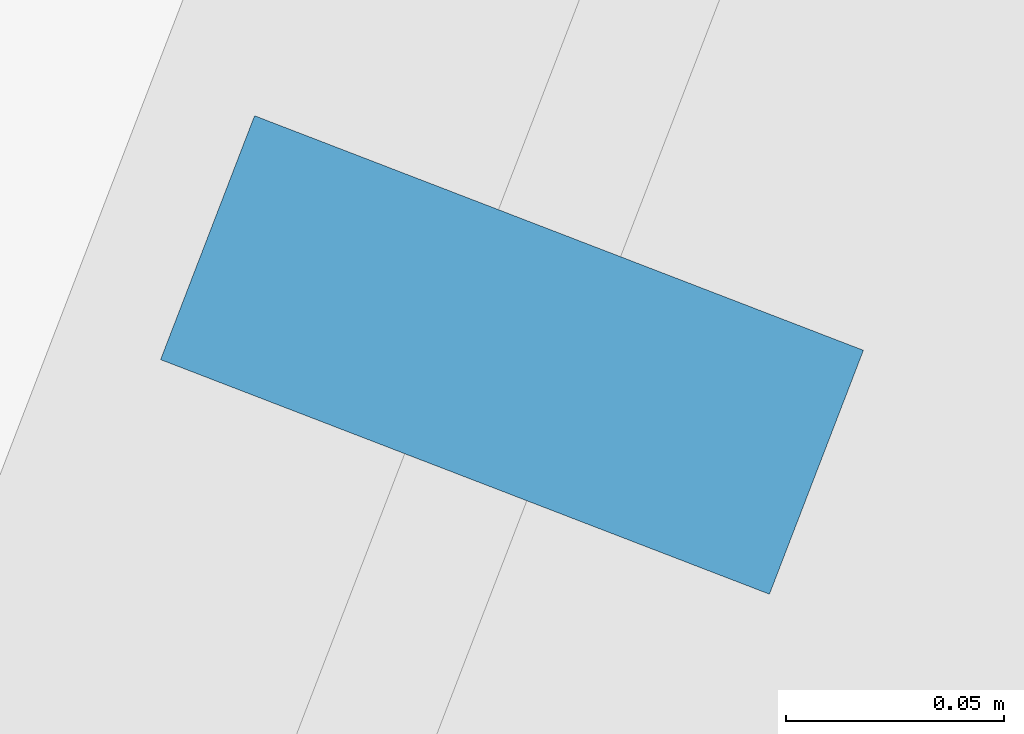
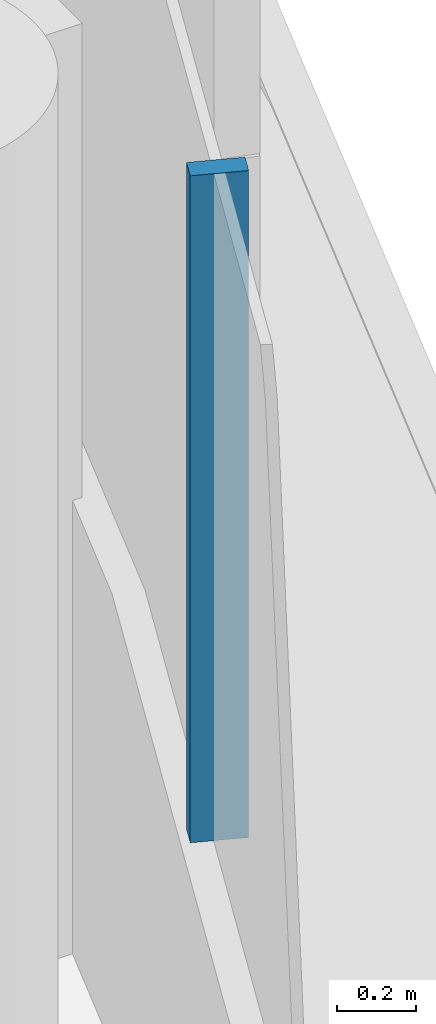
# One storey, part 5 of 25: 1 member, 1 element without a shape of its own.
"""IFC4 building model written with IfcOpenShell, lengths in metres."""

from ifc_helpers import new_model, si_unit, direction, frame, origin, origin_2d, place, context, subcontext, project, spatial, rectangle, extrude, material, layer, layer_set, material_profile, profile_set, type_object, element, aggregate, save


model = new_model("IFC4")

# Units and contexts
model_context = context("Model", 3, precision=1e-05, world=origin(), true_north=direction((0.0, 1.0)))
body_context = subcontext(model_context, "Body", "Model", "MODEL_VIEW")
ifc_project = project(units=[si_unit("LENGTHUNIT", "METRE"), si_unit("AREAUNIT", "SQUARE_METRE"), si_unit("VOLUMEUNIT", "CUBIC_METRE"), si_unit("PLANEANGLEUNIT", "RADIAN"), si_unit("MASSUNIT", "GRAM", prefix="KILO")], contexts=[model_context])

# Site, building, storey
site_placement = place(None, origin())
site = spatial("IfcSite", under=ifc_project, at=site_placement, CompositionType="ELEMENT")
building_placement = place(site_placement, origin())
building = spatial("IfcBuilding", under=site, at=building_placement, Name="Tamarind Cross Interchange Tower", CompositionType="ELEMENT")
storey_placement = place(building_placement, frame((0.0, 0.0, 219.89990234375)))
storey = spatial("IfcBuildingStorey", under=building, at=storey_placement, Name="L55", CompositionType="ELEMENT", Elevation=219.89990234375)

# Curtain wall, member
ifc_material = material(Name="Aluminium 6063-T6", Category="aluminium")
ifc_layer = layer(ifc_material, 0.14990234375)
ifc_layer_set = layer_set([ifc_layer], Name="Aluminium 6063-T6")
curtain_wall_type = type_object("IfcCurtainWallType", Name="Winter garden and crown curtain wall", PredefinedType="NOTDEFINED", material=ifc_layer_set)
curtain_wall_placement = place(storey_placement, origin())
curtain_wall = element("IfcCurtainWall", 1, at=curtain_wall_placement, inside=storey, type_object=curtain_wall_type, Name="CWS-L55-02", PredefinedType="NOTDEFINED")
ifc_material_profile = material_profile(ifc_material, rectangle(XDim=0.06005859375, YDim=0.14990234375, at=origin_2d()), Name="Mullion CW6")
ifc_profile_set = profile_set([ifc_material_profile], Name="Aluminium 6063-T6")
member_type = type_object("IfcMemberType", Name="Mullion CW6", PredefinedType="MULLION", material=ifc_profile_set)
member_placement = place(storey_placement, frame((22.146728515625, -8.648681640625, 1.400146484375), z_axis=(0.0, 0.0, 1.0), x_axis=(0.359495435512, 0.933146843667, 0.0)))
member = element("IfcMember", 2, at=member_placement, type_object=member_type, Name="CWM-L55-02-12", PredefinedType="MULLION", context=body_context, shape_type="SweptSolid", body=[
    extrude(rectangle(XDim=0.06005859375, YDim=0.14990234375, at=origin_2d()), origin(), (0.0, 0.0, 1.0), 2.06005859375),
])
aggregate(curtain_wall, [member])

save(model, "model.ifc")
